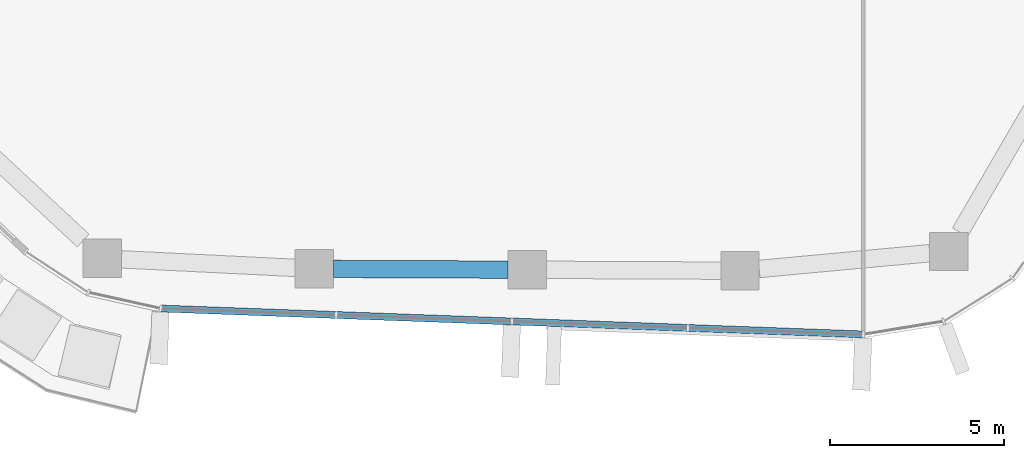
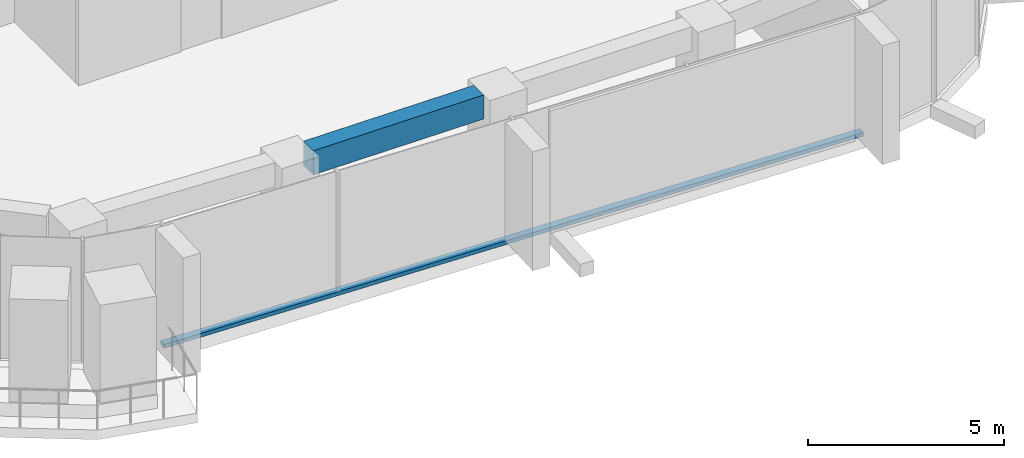
# One storey, part 3 of 21: 1 beam, 1 member, 1 element without a shape of its own.
"""IFC4 building model written with IfcOpenShell, lengths in metres."""

from ifc_helpers import new_model, si_unit, direction, frame, origin, origin_2d, place, context, subcontext, project, spatial, rectangle, extrude, material, layer, layer_set, material_profile, profile_set, type_object, element, aggregate, save


model = new_model("IFC4")

# Units and contexts
model_context = context("Model", 3, precision=1e-05, world=origin(), true_north=direction((0.0, 1.0)))
body_context = subcontext(model_context, "Body", "Model", "MODEL_VIEW")
ifc_project = project(units=[si_unit("LENGTHUNIT", "METRE"), si_unit("AREAUNIT", "SQUARE_METRE"), si_unit("VOLUMEUNIT", "CUBIC_METRE"), si_unit("PLANEANGLEUNIT", "RADIAN"), si_unit("MASSUNIT", "GRAM", prefix="KILO")], contexts=[model_context])

# Site, building, storey
site_placement = place(None, origin())
site = spatial("IfcSite", under=ifc_project, at=site_placement, CompositionType="ELEMENT")
building_placement = place(site_placement, origin())
building = spatial("IfcBuilding", under=site, at=building_placement, Name="Dongbaek Canopy Tower", CompositionType="ELEMENT")
storey_placement = place(building_placement, frame((0.0, 0.0, 270.60009765625)))
storey = spatial("IfcBuildingStorey", under=building, at=storey_placement, Name="L57", CompositionType="ELEMENT", Elevation=270.60009765625)

# Curtain wall, member
ifc_material_1 = material(Name="Aluminium 6063-T6 pale anodised", Category="aluminium")
ifc_layer = layer(ifc_material_1, 0.199951171875)
ifc_layer_set = layer_set([ifc_layer], Name="CW-1 unitised tower curtain wall")
curtain_wall_type = type_object("IfcCurtainWallType", Name="CW-1 unitised tower curtain wall", PredefinedType="NOTDEFINED", material=ifc_layer_set)
curtain_wall_placement = place(storey_placement, origin())
curtain_wall = element("IfcCurtainWall", 1, at=curtain_wall_placement, inside=storey, type_object=curtain_wall_type, Name="CW-1 curtain wall F4.1", PredefinedType="NOTDEFINED")
ifc_material_2 = material(Name="Aluminium 6063-T6 pale anodised", Category="aluminium")
ifc_material_profile_1 = material_profile(ifc_material_2, rectangle(XDim=0.199951171875, YDim=0.1201171875, at=origin_2d()), Name="CW-1 transom 120 x 200")
ifc_profile_set_1 = profile_set([ifc_material_profile_1], Name="Aluminium 6063-T6 pale anodised")
member_type = type_object("IfcMemberType", Name="CW-1 transom 120 x 200", PredefinedType="USERDEFINED", material=ifc_profile_set_1)
member_placement = place(storey_placement, frame((-9.021484375, -25.385498046875, 0.059814453125), z_axis=(0.999320124126, -0.036868543718, 0.0), x_axis=(0.036868543718, 0.999320124126, 0.0)))
member = element("IfcMember", 2, at=member_placement, type_object=member_type, Name="CW-1 transom F4.1.1", ObjectType="TRANSOM", PredefinedType="USERDEFINED", context=body_context, shape_type="SweptSolid", body=[
    extrude(rectangle(XDim=0.199951171875, YDim=0.1201171875, at=origin_2d()), origin(), (0.0, 0.0, 1.0), 20.190185546875),
])
aggregate(curtain_wall, [member])

# Beam
ifc_material_3 = material(Name="Concrete C70", Category="concrete")
ifc_material_profile_2 = material_profile(ifc_material_3, rectangle(XDim=0.5, YDim=0.75, at=origin_2d()), Name="RC EDGE BEAM 500x750 C70")
ifc_profile_set_2 = profile_set([ifc_material_profile_2], Name="Concrete C70")
beam_type = type_object("IfcBeamType", Name="RC EDGE BEAM 500x750 C70", PredefinedType="BEAM", material=ifc_profile_set_2)
beam_placement = place(storey_placement, frame((0.951904296875, -24.269775390625, 3.44482421875), z_axis=(-0.999990816155, 0.0042857445, 0.0), x_axis=(-0.0042857445, -0.999990816155, 0.0)))
element("IfcBeam", 3, at=beam_placement, inside=storey, type_object=beam_type, Name="EDGEBEAM:L57:02", PredefinedType="BEAM", context=body_context, shape_type="SweptSolid", body=[
    extrude(rectangle(XDim=0.5, YDim=0.75, at=origin_2d()), origin(), (0.0, 0.0, 1.0), 5.012939453125),
])

save(model, "model.ifc")
